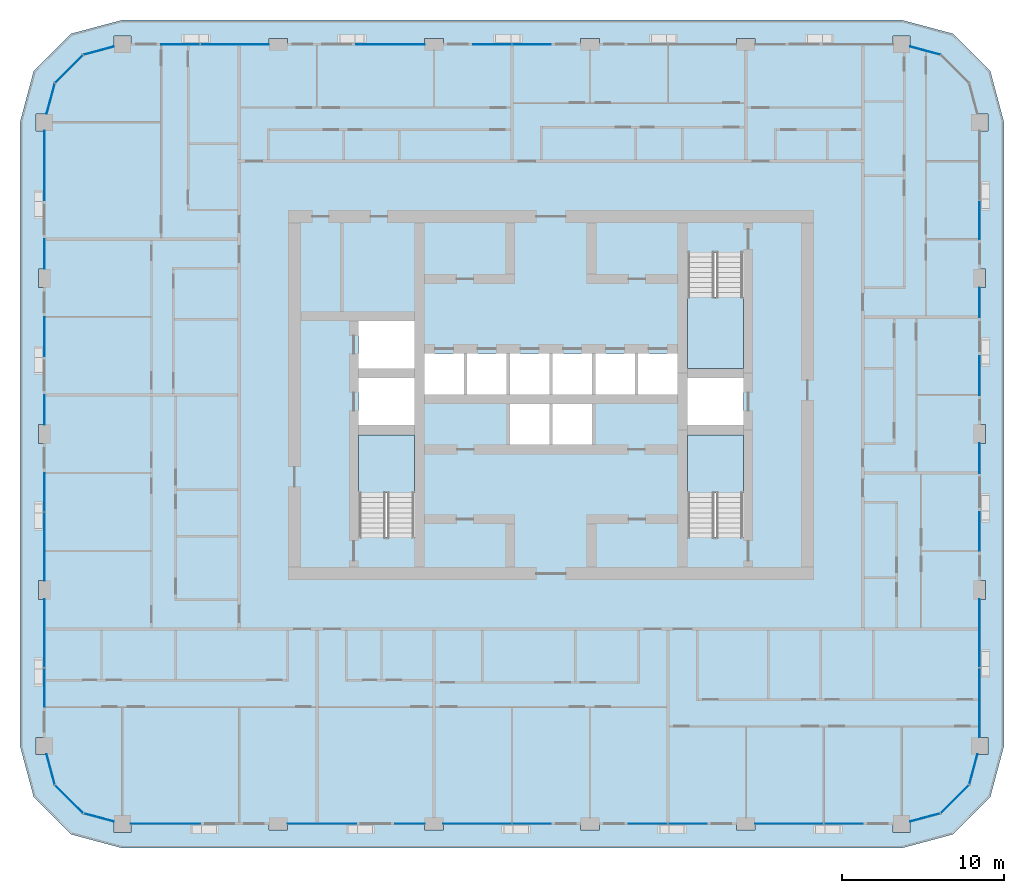
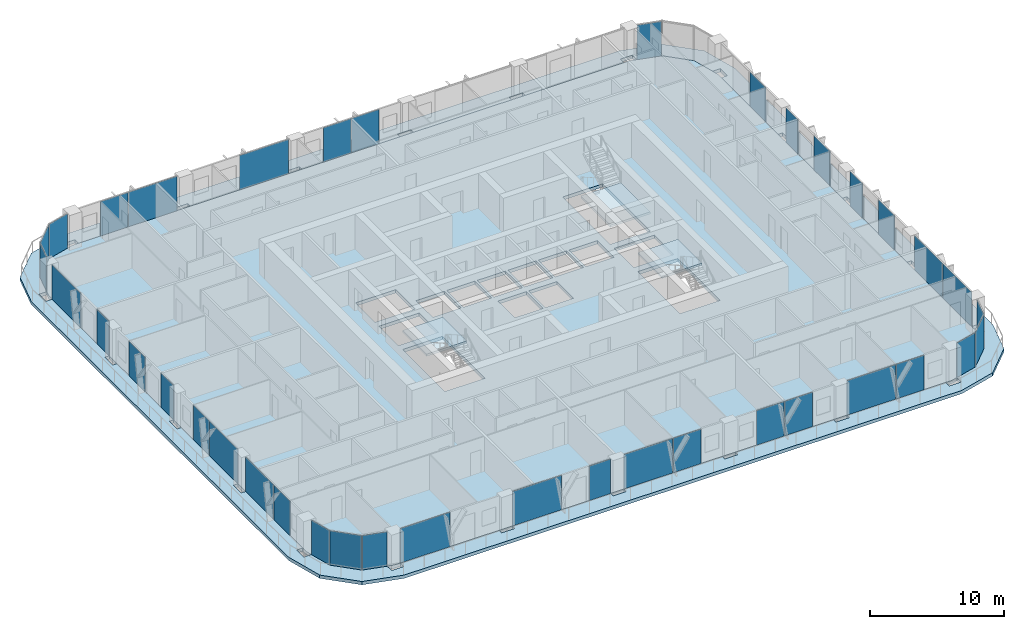
# One storey, part 7 of 22: 39 plates, 5 slabs, 23 elements without a shape of their own.
"""IFC4 building model written with IfcOpenShell, lengths in metres."""

from ifc_helpers import new_model, si_unit, direction, frame, origin, origin_2d, place, context, subcontext, project, spatial, polyline, rectangle, outline, extrude, material, layer, layer_set, type_object, element, aggregate, save


model = new_model("IFC4")

# Units and contexts
model_context = context("Model", 3, precision=1e-05, world=origin(), true_north=direction((0.0, 1.0)))
body_context = subcontext(model_context, "Body", "Model", "MODEL_VIEW")
ifc_project = project(units=[si_unit("LENGTHUNIT", "METRE"), si_unit("AREAUNIT", "SQUARE_METRE"), si_unit("VOLUMEUNIT", "CUBIC_METRE"), si_unit("PLANEANGLEUNIT", "RADIAN"), si_unit("MASSUNIT", "GRAM", prefix="KILO")], contexts=[model_context])

# Site, building, storey
site_placement = place(None, origin())
site = spatial("IfcSite", under=ifc_project, at=site_placement, CompositionType="ELEMENT")
building_placement = place(site_placement, origin())
building = spatial("IfcBuilding", under=site, at=building_placement, Name="Madar Terraces", CompositionType="ELEMENT")
storey_placement = place(building_placement, frame((0.0, 0.0, 163.0)))
storey = spatial("IfcBuildingStorey", under=building, at=storey_placement, Name="L42", CompositionType="ELEMENT", Elevation=163.0)

# Slabs
ifc_material_1 = material(Name="Concrete C50/60", Category="concrete")
ifc_layer_1 = layer(ifc_material_1, 0.300048828125)
ifc_layer_set_1 = layer_set([ifc_layer_1], Name="Balcony band 300")
slab_type_1 = type_object("IfcSlabType", Name="Balcony band 300", PredefinedType="FLOOR", material=ifc_layer_set_1)
slab_1_placement = place(storey_placement, frame((0.0, 0.0, -0.300048828125)))
element("IfcSlab", 1, at=slab_1_placement, inside=storey, type_object=slab_type_1, Name="Balcony band", PredefinedType="FLOOR", context=body_context, shape_type="SweptSolid", body=[
    extrude(outline(polyline([(4.800048828125, -1.5), (1.64990234375, -0.656005859375), (-0.656005859375, 1.64990234375), (-1.5, 4.800048828125), (-1.5, 43.199951171875), (-0.656005859375, 46.35009765625), (1.64990234375, 48.656005859375), (4.800048828125, 49.5), (52.800048828125, 49.5), (55.949951171875, 48.656005859375), (58.256103515625, 46.35009765625), (59.10009765625, 43.199951171875), (59.10009765625, 4.800048828125), (58.256103515625, 1.64990234375), (55.949951171875, -0.656005859375), (52.800048828125, -1.5), (4.800048828125, -1.5)]), holes=[polyline([(5.324951171875, -0.52490234375), (5.324951171875, 0.0), (13.824951171875, 0.0), (13.824951171875, -0.375), (14.97509765625, -0.375), (14.97509765625, 0.0), (23.425048828125, 0.0), (23.425048828125, -0.375), (24.574951171875, -0.375), (24.574951171875, 0.0), (33.02490234375, 0.0), (33.02490234375, -0.375), (34.175048828125, -0.375), (34.175048828125, 0.0), (42.625, 0.0), (42.625, -0.375), (43.77490234375, -0.375), (43.77490234375, 0.0), (52.27490234375, 0.0), (52.27490234375, -0.52490234375), (53.324951171875, -0.52490234375), (53.324951171875, 0.140625), (55.199951171875, 0.64306640625), (56.956787109375, 2.39990234375), (57.459228515625, 4.27490234375), (58.125, 4.27490234375), (58.125, 5.324951171875), (57.60009765625, 5.324951171875), (57.60009765625, 13.824951171875), (57.97509765625, 13.824951171875), (57.97509765625, 14.97509765625), (57.60009765625, 14.97509765625), (57.60009765625, 23.425048828125), (57.97509765625, 23.425048828125), (57.97509765625, 24.574951171875), (57.60009765625, 24.574951171875), (57.60009765625, 33.02490234375), (57.97509765625, 33.02490234375), (57.97509765625, 34.175048828125), (57.60009765625, 34.175048828125), (57.60009765625, 42.675048828125), (58.125, 42.675048828125), (58.125, 43.72509765625), (57.459228515625, 43.72509765625), (56.956787109375, 45.60009765625), (55.199951171875, 47.35693359375), (53.324951171875, 47.859375), (53.324951171875, 48.52490234375), (52.27490234375, 48.52490234375), (52.27490234375, 48.0), (43.77490234375, 48.0), (43.77490234375, 48.375), (42.625, 48.375), (42.625, 48.0), (34.175048828125, 48.0), (34.175048828125, 48.375), (33.02490234375, 48.375), (33.02490234375, 48.0), (24.574951171875, 48.0), (24.574951171875, 48.375), (23.425048828125, 48.375), (23.425048828125, 48.0), (14.97509765625, 48.0), (14.97509765625, 48.375), (13.824951171875, 48.375), (13.824951171875, 48.0), (5.324951171875, 48.0), (5.324951171875, 48.52490234375), (4.27490234375, 48.52490234375), (4.27490234375, 47.859375), (2.39990234375, 47.35693359375), (0.64306640625, 45.60009765625), (0.140625, 43.72509765625), (-0.52490234375, 43.72509765625), (-0.52490234375, 42.675048828125), (0.0, 42.675048828125), (0.0, 34.175048828125), (-0.375, 34.175048828125), (-0.375, 33.02490234375), (0.0, 33.02490234375), (0.0, 24.574951171875), (-0.375, 24.574951171875), (-0.375, 23.425048828125), (0.0, 23.425048828125), (0.0, 14.97509765625), (-0.375, 14.97509765625), (-0.375, 13.824951171875), (0.0, 13.824951171875), (0.0, 5.324951171875), (-0.52490234375, 5.324951171875), (-0.52490234375, 4.27490234375), (0.140625, 4.27490234375), (0.64306640625, 2.39990234375), (2.39990234375, 0.64306640625), (4.27490234375, 0.140625), (4.27490234375, -0.52490234375), (5.324951171875, -0.52490234375)])]), origin(), (0.0, 0.0, 1.0), 0.300048828125),
])
ifc_material_2 = material(Name="Concrete C50/60", Category="concrete")
ifc_layer_2 = layer(ifc_material_2, 0.300048828125)
ifc_layer_set_2 = layer_set([ifc_layer_2], Name="FS2 PT flat slab 300")
slab_type_2 = type_object("IfcSlabType", Name="FS2 PT flat slab 300", PredefinedType="FLOOR", material=ifc_layer_set_2)
slab_2_placement = place(storey_placement, frame((0.0, 0.0, -0.300048828125)))
element("IfcSlab", 2, at=slab_2_placement, inside=storey, type_object=slab_type_2, Name="Floor slab L42 (1)", PredefinedType="FLOOR", context=body_context, shape_type="SweptSolid", body=[
    extrude(outline(polyline([(52.800048828125, 0.0), (55.199951171875, 0.64306640625), (56.95703125, 2.39990234375), (57.60009765625, 4.800048828125), (57.60009765625, 43.199951171875), (56.95703125, 45.60009765625), (55.199951171875, 47.35693359375), (52.800048828125, 48.0), (4.800048828125, 48.0), (2.39990234375, 47.35693359375), (0.64306640625, 45.60009765625), (0.0, 43.199951171875), (0.0, 4.800048828125), (0.64306640625, 2.39990234375), (2.39990234375, 0.64306640625), (4.800048828125, 0.0), (52.800048828125, 0.0)]), holes=[polyline([(22.800048828125, 17.64990234375), (19.35009765625, 17.64990234375), (19.35009765625, 23.949951171875), (22.800048828125, 23.949951171875), (22.800048828125, 17.64990234375)]), polyline([(28.666748046875, 23.35009765625), (28.666748046875, 25.85009765625), (31.10009765625, 25.85009765625), (31.10009765625, 23.35009765625), (28.666748046875, 23.35009765625)]), polyline([(19.35009765625, 24.550048828125), (19.35009765625, 27.449951171875), (22.800048828125, 27.449951171875), (22.800048828125, 24.550048828125), (19.35009765625, 24.550048828125)]), polyline([(23.39990234375, 26.449951171875), (23.39990234375, 28.949951171875), (25.833251953125, 28.949951171875), (25.833251953125, 26.449951171875), (23.39990234375, 26.449951171875)]), polyline([(26.033447265625, 26.449951171875), (26.033447265625, 28.949951171875), (28.466552734375, 28.949951171875), (28.466552734375, 26.449951171875), (26.033447265625, 26.449951171875)]), polyline([(28.666748046875, 26.449951171875), (28.666748046875, 28.949951171875), (31.10009765625, 28.949951171875), (31.10009765625, 26.449951171875), (28.666748046875, 26.449951171875)]), polyline([(19.35009765625, 28.050048828125), (19.35009765625, 30.949951171875), (22.800048828125, 30.949951171875), (22.800048828125, 28.050048828125), (19.35009765625, 28.050048828125)]), polyline([(43.050048828125, 17.64990234375), (39.60009765625, 17.64990234375), (39.60009765625, 23.949951171875), (43.050048828125, 23.949951171875), (43.050048828125, 17.64990234375)]), polyline([(31.300048828125, 23.35009765625), (31.300048828125, 25.85009765625), (33.7333984375, 25.85009765625), (33.7333984375, 23.35009765625), (31.300048828125, 23.35009765625)]), polyline([(39.60009765625, 24.550048828125), (39.60009765625, 27.449951171875), (43.050048828125, 27.449951171875), (43.050048828125, 24.550048828125), (39.60009765625, 24.550048828125)]), polyline([(31.300048828125, 26.449951171875), (31.300048828125, 28.949951171875), (33.7333984375, 28.949951171875), (33.7333984375, 26.449951171875), (31.300048828125, 26.449951171875)]), polyline([(33.933349609375, 26.449951171875), (33.933349609375, 28.949951171875), (36.36669921875, 28.949951171875), (36.36669921875, 26.449951171875), (33.933349609375, 26.449951171875)]), polyline([(36.566650390625, 26.449951171875), (36.566650390625, 28.949951171875), (39.0, 28.949951171875), (39.0, 26.449951171875), (36.566650390625, 26.449951171875)]), polyline([(39.60009765625, 28.050048828125), (39.60009765625, 35.14990234375), (43.050048828125, 35.14990234375), (43.050048828125, 28.050048828125), (39.60009765625, 28.050048828125)])]), origin(), (0.0, 0.0, 1.0), 0.300048828125),
])

# Curtain wall, plate
ifc_material_3 = material(Name="Glass, ceramic frit dark grey, with black aluminium frame", Category="aluminium")
ifc_layer_3 = layer(ifc_material_3, 0.199951171875)
ifc_layer_set_3 = layer_set([ifc_layer_3], Name="Facade curtain wall, fritted glass")
curtain_wall_type = type_object("IfcCurtainWallType", Name="Facade curtain wall, fritted glass", PredefinedType="NOTDEFINED", material=ifc_layer_set_3)
curtain_wall_1_placement = place(storey_placement, origin())
curtain_wall_1 = element("IfcCurtainWall", 3, at=curtain_wall_1_placement, inside=storey, type_object=curtain_wall_type, Name="Outer skin curtain wall south bay 1", PredefinedType="NOTDEFINED")
ifc_material_4 = material(Name="Glass, ceramic frit dark grey", Category="glass")
ifc_layer_4 = layer(ifc_material_4, 0.028076171875)
ifc_layer_set_4 = layer_set([ifc_layer_4], Name="Facade glass panel 28")
plate_type = type_object("IfcPlateType", Name="Facade glass panel 28", PredefinedType="CURTAIN_PANEL", material=ifc_layer_set_4)
plate_1_placement = place(storey_placement, frame((7.46240234375, 0.0, 0.0), z_axis=(0.0, 0.0, 1.0), x_axis=(1.0, 0.0, 0.0)))
plate_1 = element("IfcPlate", 4, at=plate_1_placement, type_object=plate_type, Name="Panel 1", PredefinedType="CURTAIN_PANEL", context=body_context, shape_type="SweptSolid", body=[
    extrude(rectangle(XDim=4.27490234375, YDim=0.028076171875, at=origin_2d()), origin(), (0.0, 0.0, 1.0), 3.139892578125),
])
aggregate(curtain_wall_1, [plate_1])

# Curtain wall, plates
curtain_wall_2_placement = place(storey_placement, origin())
curtain_wall_2 = element("IfcCurtainWall", 5, at=curtain_wall_2_placement, inside=storey, type_object=curtain_wall_type, Name="Outer skin curtain wall south bay 2", PredefinedType="NOTDEFINED")
plate_2_placement = place(storey_placement, frame((17.08740234375, 0.0, 0.0), z_axis=(0.0, 0.0, 1.0), x_axis=(1.0, 0.0, 0.0)))
plate_2 = element("IfcPlate", 6, at=plate_2_placement, type_object=plate_type, Name="Panel 1", PredefinedType="CURTAIN_PANEL", context=body_context, shape_type="SweptSolid", body=[
    extrude(rectangle(XDim=4.22509765625, YDim=0.028076171875, at=origin_2d()), origin(), (0.0, 0.0, 1.0), 3.139892578125),
])
plate_3_placement = place(storey_placement, frame((22.512451171875, 0.0, 0.0), z_axis=(0.0, 0.0, 1.0), x_axis=(1.0, 0.0, 0.0)))
plate_3 = element("IfcPlate", 7, at=plate_3_placement, type_object=plate_type, Name="Panel 2", PredefinedType="CURTAIN_PANEL", context=body_context, shape_type="SweptSolid", body=[
    extrude(rectangle(XDim=1.824951171875, YDim=0.028076171875, at=origin_2d()), origin(), (0.0, 0.0, 1.0), 3.139892578125),
])
aggregate(curtain_wall_2, [plate_2, plate_3])

curtain_wall_3_placement = place(storey_placement, origin())
curtain_wall_3 = element("IfcCurtainWall", 8, at=curtain_wall_3_placement, inside=storey, type_object=curtain_wall_type, Name="Outer skin curtain wall south bay 3", PredefinedType="NOTDEFINED")
plate_4_placement = place(storey_placement, frame((26.672607421875, 0.0, 0.0), z_axis=(0.0, 0.0, 1.0), x_axis=(1.0, 0.0, 0.0)))
plate_4 = element("IfcPlate", 9, at=plate_4_placement, type_object=plate_type, Name="Panel 1", PredefinedType="CURTAIN_PANEL", context=body_context, shape_type="SweptSolid", body=[
    extrude(rectangle(XDim=4.195068359375, YDim=0.028076171875, at=origin_2d()), origin(), (0.0, 0.0, 1.0), 3.139892578125),
])
plate_5_placement = place(storey_placement, frame((30.014892578125, 0.0, 0.0), z_axis=(0.0, 0.0, 1.0), x_axis=(1.0, 0.0, 0.0)))
plate_5 = element("IfcPlate", 10, at=plate_5_placement, type_object=plate_type, Name="Panel 2", PredefinedType="CURTAIN_PANEL", context=body_context, shape_type="SweptSolid", body=[
    extrude(rectangle(XDim=2.3701171875, YDim=0.028076171875, at=origin_2d()), origin(), (0.0, 0.0, 1.0), 3.139892578125),
])
aggregate(curtain_wall_3, [plate_4, plate_5])

curtain_wall_4_placement = place(storey_placement, origin())
curtain_wall_4 = element("IfcCurtainWall", 11, at=curtain_wall_4_placement, inside=storey, type_object=curtain_wall_type, Name="Outer skin curtain wall south bay 4", PredefinedType="NOTDEFINED")
plate_6_placement = place(storey_placement, frame((37.18505859375, 0.0, 0.0), z_axis=(0.0, 0.0, 1.0), x_axis=(1.0, 0.0, 0.0)))
plate_6 = element("IfcPlate", 12, at=plate_6_placement, type_object=plate_type, Name="Panel 1", PredefinedType="CURTAIN_PANEL", context=body_context, shape_type="SweptSolid", body=[
    extrude(rectangle(XDim=2.3701171875, YDim=0.028076171875, at=origin_2d()), origin(), (0.0, 0.0, 1.0), 3.139892578125),
])
plate_7_placement = place(storey_placement, frame((39.614990234375, 0.0, 0.0), z_axis=(0.0, 0.0, 1.0), x_axis=(1.0, 0.0, 0.0)))
plate_7 = element("IfcPlate", 13, at=plate_7_placement, type_object=plate_type, Name="Panel 2", PredefinedType="CURTAIN_PANEL", context=body_context, shape_type="SweptSolid", body=[
    extrude(rectangle(XDim=2.3701171875, YDim=0.028076171875, at=origin_2d()), origin(), (0.0, 0.0, 1.0), 3.139892578125),
])
aggregate(curtain_wall_4, [plate_6, plate_7])

curtain_wall_5_placement = place(storey_placement, origin())
curtain_wall_5 = element("IfcCurtainWall", 14, at=curtain_wall_5_placement, inside=storey, type_object=curtain_wall_type, Name="Outer skin curtain wall south bay 5", PredefinedType="NOTDEFINED")
plate_8_placement = place(storey_placement, frame((45.87255859375, 0.0, 0.0), z_axis=(0.0, 0.0, 1.0), x_axis=(1.0, 0.0, 0.0)))
plate_8 = element("IfcPlate", 15, at=plate_8_placement, type_object=plate_type, Name="Panel 1", PredefinedType="CURTAIN_PANEL", context=body_context, shape_type="SweptSolid", body=[
    extrude(rectangle(XDim=4.195068359375, YDim=0.028076171875, at=origin_2d()), origin(), (0.0, 0.0, 1.0), 3.139892578125),
])
plate_9_placement = place(storey_placement, frame((49.215087890625, 0.0, 0.0), z_axis=(0.0, 0.0, 1.0), x_axis=(1.0, 0.0, 0.0)))
plate_9 = element("IfcPlate", 16, at=plate_9_placement, type_object=plate_type, Name="Panel 2", PredefinedType="CURTAIN_PANEL", context=body_context, shape_type="SweptSolid", body=[
    extrude(rectangle(XDim=2.3701171875, YDim=0.028076171875, at=origin_2d()), origin(), (0.0, 0.0, 1.0), 3.139892578125),
])
aggregate(curtain_wall_5, [plate_8, plate_9])

curtain_wall_6_placement = place(storey_placement, origin())
curtain_wall_6 = element("IfcCurtainWall", 17, at=curtain_wall_6_placement, inside=storey, type_object=curtain_wall_type, Name="Outer skin curtain wall east bay 1", PredefinedType="NOTDEFINED")
plate_10_placement = place(storey_placement, frame((57.60009765625, 7.447509765625, 0.0), z_axis=(0.0, 0.0, 1.0), x_axis=(0.0, 1.0, 0.0)))
plate_10 = element("IfcPlate", 18, at=plate_10_placement, type_object=plate_type, Name="Panel 1", PredefinedType="CURTAIN_PANEL", context=body_context, shape_type="SweptSolid", body=[
    extrude(rectangle(XDim=4.2451171875, YDim=0.028076171875, at=origin_2d()), origin(), (0.0, 0.0, 1.0), 3.139892578125),
])
plate_11_placement = place(storey_placement, frame((57.60009765625, 11.7275390625, 0.0), z_axis=(0.0, 0.0, 1.0), x_axis=(0.0, 1.0, 0.0)))
plate_11 = element("IfcPlate", 19, at=plate_11_placement, type_object=plate_type, Name="Panel 2", PredefinedType="CURTAIN_PANEL", context=body_context, shape_type="SweptSolid", body=[
    extrude(rectangle(XDim=4.195068359375, YDim=0.028076171875, at=origin_2d()), origin(), (0.0, 0.0, 1.0), 3.139892578125),
])
aggregate(curtain_wall_6, [plate_10, plate_11])

curtain_wall_7_placement = place(storey_placement, origin())
curtain_wall_7 = element("IfcCurtainWall", 20, at=curtain_wall_7_placement, inside=storey, type_object=curtain_wall_type, Name="Outer skin curtain wall east bay 2", PredefinedType="NOTDEFINED")
plate_12_placement = place(storey_placement, frame((57.60009765625, 18.0, 0.0), z_axis=(0.0, 0.0, 1.0), x_axis=(0.0, 1.0, 0.0)))
plate_12 = element("IfcPlate", 21, at=plate_12_placement, type_object=plate_type, Name="Panel 1", PredefinedType="CURTAIN_PANEL", context=body_context, shape_type="SweptSolid", body=[
    extrude(rectangle(XDim=2.39990234375, YDim=0.028076171875, at=origin_2d()), origin(), (0.0, 0.0, 1.0), 3.139892578125),
])
plate_13_placement = place(storey_placement, frame((57.60009765625, 22.512451171875, 0.0), z_axis=(0.0, 0.0, 1.0), x_axis=(0.0, 1.0, 0.0)))
plate_13 = element("IfcPlate", 22, at=plate_13_placement, type_object=plate_type, Name="Panel 2", PredefinedType="CURTAIN_PANEL", context=body_context, shape_type="SweptSolid", body=[
    extrude(rectangle(XDim=1.824951171875, YDim=0.028076171875, at=origin_2d()), origin(), (0.0, 0.0, 1.0), 3.139892578125),
])
aggregate(curtain_wall_7, [plate_12, plate_13])

curtain_wall_8_placement = place(storey_placement, origin())
curtain_wall_8 = element("IfcCurtainWall", 23, at=curtain_wall_8_placement, inside=storey, type_object=curtain_wall_type, Name="Outer skin curtain wall east bay 3", PredefinedType="NOTDEFINED")
plate_14_placement = place(storey_placement, frame((57.60009765625, 27.60009765625, 0.0), z_axis=(0.0, 0.0, 1.0), x_axis=(0.0, 1.0, 0.0)))
plate_14 = element("IfcPlate", 24, at=plate_14_placement, type_object=plate_type, Name="Panel 1", PredefinedType="CURTAIN_PANEL", context=body_context, shape_type="SweptSolid", body=[
    extrude(rectangle(XDim=2.39990234375, YDim=0.028076171875, at=origin_2d()), origin(), (0.0, 0.0, 1.0), 3.139892578125),
])
plate_15_placement = place(storey_placement, frame((57.60009765625, 32.112548828125, 0.0), z_axis=(0.0, 0.0, 1.0), x_axis=(0.0, 1.0, 0.0)))
plate_15 = element("IfcPlate", 25, at=plate_15_placement, type_object=plate_type, Name="Panel 2", PredefinedType="CURTAIN_PANEL", context=body_context, shape_type="SweptSolid", body=[
    extrude(rectangle(XDim=1.824951171875, YDim=0.028076171875, at=origin_2d()), origin(), (0.0, 0.0, 1.0), 3.139892578125),
])
aggregate(curtain_wall_8, [plate_14, plate_15])

# Curtain wall, plate
curtain_wall_9_placement = place(storey_placement, origin())
curtain_wall_9 = element("IfcCurtainWall", 26, at=curtain_wall_9_placement, inside=storey, type_object=curtain_wall_type, Name="Outer skin curtain wall east bay 4", PredefinedType="NOTDEFINED")
plate_16_placement = place(storey_placement, frame((57.60009765625, 37.18505859375, 0.0), z_axis=(0.0, 0.0, 1.0), x_axis=(0.0, 1.0, 0.0)))
plate_16 = element("IfcPlate", 27, at=plate_16_placement, type_object=plate_type, Name="Panel 1", PredefinedType="CURTAIN_PANEL", context=body_context, shape_type="SweptSolid", body=[
    extrude(rectangle(XDim=2.3701171875, YDim=0.028076171875, at=origin_2d()), origin(), (0.0, 0.0, 1.0), 3.139892578125),
])
aggregate(curtain_wall_9, [plate_16])

# Curtain wall, plates
curtain_wall_10_placement = place(storey_placement, origin())
curtain_wall_10 = element("IfcCurtainWall", 28, at=curtain_wall_10_placement, inside=storey, type_object=curtain_wall_type, Name="Outer skin curtain wall north bay 3", PredefinedType="NOTDEFINED")
plate_17_placement = place(storey_placement, frame((30.014892578125, 48.0, 0.0), z_axis=(0.0, 0.0, 1.0), x_axis=(-1.0, 0.0, 0.0)))
plate_17 = element("IfcPlate", 29, at=plate_17_placement, type_object=plate_type, Name="Panel 1", PredefinedType="CURTAIN_PANEL", context=body_context, shape_type="SweptSolid", body=[
    extrude(rectangle(XDim=2.3701171875, YDim=0.028076171875, at=origin_2d()), origin(), (0.0, 0.0, 1.0), 3.139892578125),
])
plate_18_placement = place(storey_placement, frame((27.5849609375, 48.0, 0.0), z_axis=(0.0, 0.0, 1.0), x_axis=(-1.0, 0.0, 0.0)))
plate_18 = element("IfcPlate", 30, at=plate_18_placement, type_object=plate_type, Name="Panel 2", PredefinedType="CURTAIN_PANEL", context=body_context, shape_type="SweptSolid", body=[
    extrude(rectangle(XDim=2.3701171875, YDim=0.028076171875, at=origin_2d()), origin(), (0.0, 0.0, 1.0), 3.139892578125),
])
aggregate(curtain_wall_10, [plate_17, plate_18])

# Curtain wall, plate
curtain_wall_11_placement = place(storey_placement, origin())
curtain_wall_11 = element("IfcCurtainWall", 31, at=curtain_wall_11_placement, inside=storey, type_object=curtain_wall_type, Name="Outer skin curtain wall north bay 4", PredefinedType="NOTDEFINED")
plate_19_placement = place(storey_placement, frame((21.3125, 48.0, 0.0), z_axis=(0.0, 0.0, 1.0), x_axis=(-1.0, 0.0, 0.0)))
plate_19 = element("IfcPlate", 32, at=plate_19_placement, type_object=plate_type, Name="Panel 1", PredefinedType="CURTAIN_PANEL", context=body_context, shape_type="SweptSolid", body=[
    extrude(rectangle(XDim=4.22509765625, YDim=0.028076171875, at=origin_2d()), origin(), (0.0, 0.0, 1.0), 3.139892578125),
])
aggregate(curtain_wall_11, [plate_19])

# Curtain wall, plates
curtain_wall_12_placement = place(storey_placement, origin())
curtain_wall_12 = element("IfcCurtainWall", 33, at=curtain_wall_12_placement, inside=storey, type_object=curtain_wall_type, Name="Outer skin curtain wall north bay 5", PredefinedType="NOTDEFINED")
plate_20_placement = place(storey_placement, frame((11.7275390625, 48.0, 0.0), z_axis=(0.0, 0.0, 1.0), x_axis=(-1.0, 0.0, 0.0)))
plate_20 = element("IfcPlate", 34, at=plate_20_placement, type_object=plate_type, Name="Panel 1", PredefinedType="CURTAIN_PANEL", context=body_context, shape_type="SweptSolid", body=[
    extrude(rectangle(XDim=4.195068359375, YDim=0.028076171875, at=origin_2d()), origin(), (0.0, 0.0, 1.0), 3.139892578125),
])
plate_21_placement = place(storey_placement, frame((8.385009765625, 48.0, 0.0), z_axis=(0.0, 0.0, 1.0), x_axis=(-1.0, 0.0, 0.0)))
plate_21 = element("IfcPlate", 35, at=plate_21_placement, type_object=plate_type, Name="Panel 2", PredefinedType="CURTAIN_PANEL", context=body_context, shape_type="SweptSolid", body=[
    extrude(rectangle(XDim=2.3701171875, YDim=0.028076171875, at=origin_2d()), origin(), (0.0, 0.0, 1.0), 3.139892578125),
])
aggregate(curtain_wall_12, [plate_20, plate_21])

curtain_wall_13_placement = place(storey_placement, origin())
curtain_wall_13 = element("IfcCurtainWall", 36, at=curtain_wall_13_placement, inside=storey, type_object=curtain_wall_type, Name="Outer skin curtain wall west bay 1", PredefinedType="NOTDEFINED")
plate_22_placement = place(storey_placement, frame((0.0, 40.53759765625, 0.0), z_axis=(0.0, 0.0, 1.0), x_axis=(0.0, -1.0, 0.0)))
plate_22 = element("IfcPlate", 37, at=plate_22_placement, type_object=plate_type, Name="Panel 1", PredefinedType="CURTAIN_PANEL", context=body_context, shape_type="SweptSolid", body=[
    extrude(rectangle(XDim=4.27490234375, YDim=0.028076171875, at=origin_2d()), origin(), (0.0, 0.0, 1.0), 3.139892578125),
])
plate_23_placement = place(storey_placement, frame((0.0, 35.08740234375, 0.0), z_axis=(0.0, 0.0, 1.0), x_axis=(0.0, -1.0, 0.0)))
plate_23 = element("IfcPlate", 38, at=plate_23_placement, type_object=plate_type, Name="Panel 2", PredefinedType="CURTAIN_PANEL", context=body_context, shape_type="SweptSolid", body=[
    extrude(rectangle(XDim=1.824951171875, YDim=0.028076171875, at=origin_2d()), origin(), (0.0, 0.0, 1.0), 3.139892578125),
])
aggregate(curtain_wall_13, [plate_22, plate_23])

curtain_wall_14_placement = place(storey_placement, origin())
curtain_wall_14 = element("IfcCurtainWall", 39, at=curtain_wall_14_placement, inside=storey, type_object=curtain_wall_type, Name="Outer skin curtain wall west bay 2", PredefinedType="NOTDEFINED")
plate_24_placement = place(storey_placement, frame((0.0, 30.0, 0.0), z_axis=(0.0, 0.0, 1.0), x_axis=(0.0, -1.0, 0.0)))
plate_24 = element("IfcPlate", 40, at=plate_24_placement, type_object=plate_type, Name="Panel 1", PredefinedType="CURTAIN_PANEL", context=body_context, shape_type="SweptSolid", body=[
    extrude(rectangle(XDim=2.39990234375, YDim=0.028076171875, at=origin_2d()), origin(), (0.0, 0.0, 1.0), 3.139892578125),
])
plate_25_placement = place(storey_placement, frame((0.0, 25.487548828125, 0.0), z_axis=(0.0, 0.0, 1.0), x_axis=(0.0, -1.0, 0.0)))
plate_25 = element("IfcPlate", 41, at=plate_25_placement, type_object=plate_type, Name="Panel 2", PredefinedType="CURTAIN_PANEL", context=body_context, shape_type="SweptSolid", body=[
    extrude(rectangle(XDim=1.824951171875, YDim=0.028076171875, at=origin_2d()), origin(), (0.0, 0.0, 1.0), 3.139892578125),
])
aggregate(curtain_wall_14, [plate_24, plate_25])

curtain_wall_15_placement = place(storey_placement, origin())
curtain_wall_15 = element("IfcCurtainWall", 42, at=curtain_wall_15_placement, inside=storey, type_object=curtain_wall_type, Name="Outer skin curtain wall west bay 3", PredefinedType="NOTDEFINED")
plate_26_placement = place(storey_placement, frame((0.0, 20.4150390625, 0.0), z_axis=(0.0, 0.0, 1.0), x_axis=(0.0, -1.0, 0.0)))
plate_26 = element("IfcPlate", 43, at=plate_26_placement, type_object=plate_type, Name="Panel 1", PredefinedType="CURTAIN_PANEL", context=body_context, shape_type="SweptSolid", body=[
    extrude(rectangle(XDim=2.3701171875, YDim=0.028076171875, at=origin_2d()), origin(), (0.0, 0.0, 1.0), 3.139892578125),
])
plate_27_placement = place(storey_placement, frame((0.0, 17.072509765625, 0.0), z_axis=(0.0, 0.0, 1.0), x_axis=(0.0, -1.0, 0.0)))
plate_27 = element("IfcPlate", 44, at=plate_27_placement, type_object=plate_type, Name="Panel 2", PredefinedType="CURTAIN_PANEL", context=body_context, shape_type="SweptSolid", body=[
    extrude(rectangle(XDim=4.195068359375, YDim=0.028076171875, at=origin_2d()), origin(), (0.0, 0.0, 1.0), 3.139892578125),
])
aggregate(curtain_wall_15, [plate_26, plate_27])

curtain_wall_16_placement = place(storey_placement, origin())
curtain_wall_16 = element("IfcCurtainWall", 45, at=curtain_wall_16_placement, inside=storey, type_object=curtain_wall_type, Name="Outer skin curtain wall west bay 4", PredefinedType="NOTDEFINED")
plate_28_placement = place(storey_placement, frame((0.0, 11.7275390625, 0.0), z_axis=(0.0, 0.0, 1.0), x_axis=(0.0, -1.0, 0.0)))
plate_28 = element("IfcPlate", 46, at=plate_28_placement, type_object=plate_type, Name="Panel 1", PredefinedType="CURTAIN_PANEL", context=body_context, shape_type="SweptSolid", body=[
    extrude(rectangle(XDim=4.195068359375, YDim=0.028076171875, at=origin_2d()), origin(), (0.0, 0.0, 1.0), 3.139892578125),
])
plate_29_placement = place(storey_placement, frame((0.0, 8.385009765625, 0.0), z_axis=(0.0, 0.0, 1.0), x_axis=(0.0, -1.0, 0.0)))
plate_29 = element("IfcPlate", 47, at=plate_29_placement, type_object=plate_type, Name="Panel 2", PredefinedType="CURTAIN_PANEL", context=body_context, shape_type="SweptSolid", body=[
    extrude(rectangle(XDim=2.3701171875, YDim=0.028076171875, at=origin_2d()), origin(), (0.0, 0.0, 1.0), 3.139892578125),
])
aggregate(curtain_wall_16, [plate_28, plate_29])

curtain_wall_17_placement = place(storey_placement, origin())
curtain_wall_17 = element("IfcCurtainWall", 48, at=curtain_wall_17_placement, inside=storey, type_object=curtain_wall_type, Name="Outer skin curtain wall south-east corner", PredefinedType="NOTDEFINED")
plate_30_placement = place(storey_placement, frame((54.248046875, 0.387939453125, 0.0), z_axis=(0.0, 0.0, 1.0), x_axis=(0.965925832509, 0.258819021888, 0.0)))
plate_30 = element("IfcPlate", 49, at=plate_30_placement, type_object=plate_type, Name="Panel 1", PredefinedType="CURTAIN_PANEL", context=body_context, shape_type="SweptSolid", body=[
    extrude(rectangle(XDim=1.9111328125, YDim=0.028076171875, at=origin_2d()), origin(), (0.0, 0.0, 1.0), 3.139892578125),
])
plate_31_placement = place(storey_placement, frame((56.078369140625, 1.521484375, 0.0), z_axis=(0.0, 0.0, 1.0), x_axis=(0.707106781187, 0.707106781187, 0.0)))
plate_31 = element("IfcPlate", 50, at=plate_31_placement, type_object=plate_type, Name="Panel 2", PredefinedType="CURTAIN_PANEL", context=body_context, shape_type="SweptSolid", body=[
    extrude(rectangle(XDim=2.424560546875, YDim=0.028076171875, at=origin_2d()), origin(), (0.0, 0.0, 1.0), 3.139892578125),
])
plate_32_placement = place(storey_placement, frame((57.2119140625, 3.35205078125, 0.0), z_axis=(0.0, 0.0, 1.0), x_axis=(0.258819021888, 0.965925832509, 0.0)))
plate_32 = element("IfcPlate", 51, at=plate_32_placement, type_object=plate_type, Name="Panel 3", PredefinedType="CURTAIN_PANEL", context=body_context, shape_type="SweptSolid", body=[
    extrude(rectangle(XDim=1.9111328125, YDim=0.028076171875, at=origin_2d()), origin(), (0.0, 0.0, 1.0), 3.139892578125),
])
aggregate(curtain_wall_17, [plate_30, plate_31, plate_32])

# Curtain wall, plate
curtain_wall_18_placement = place(storey_placement, origin())
curtain_wall_18 = element("IfcCurtainWall", 52, at=curtain_wall_18_placement, inside=storey, type_object=curtain_wall_type, Name="Outer skin curtain wall north-east corner", PredefinedType="NOTDEFINED")
plate_33_placement = place(storey_placement, frame((54.248046875, 47.612060546875, 0.0), z_axis=(0.0, 0.0, 1.0), x_axis=(-0.965925832509, 0.258819021888, 0.0)))
plate_33 = element("IfcPlate", 53, at=plate_33_placement, type_object=plate_type, Name="Panel 3", PredefinedType="CURTAIN_PANEL", context=body_context, shape_type="SweptSolid", body=[
    extrude(rectangle(XDim=1.9111328125, YDim=0.028076171875, at=origin_2d()), origin(), (0.0, 0.0, 1.0), 3.139892578125),
])
aggregate(curtain_wall_18, [plate_33])

# Curtain wall, plates
curtain_wall_19_placement = place(storey_placement, origin())
curtain_wall_19 = element("IfcCurtainWall", 54, at=curtain_wall_19_placement, inside=storey, type_object=curtain_wall_type, Name="Outer skin curtain wall north-west corner", PredefinedType="NOTDEFINED")
plate_34_placement = place(storey_placement, frame((3.35205078125, 47.612060546875, 0.0), z_axis=(0.0, 0.0, 1.0), x_axis=(-0.965925832509, -0.258819021888, 0.0)))
plate_34 = element("IfcPlate", 55, at=plate_34_placement, type_object=plate_type, Name="Panel 1", PredefinedType="CURTAIN_PANEL", context=body_context, shape_type="SweptSolid", body=[
    extrude(rectangle(XDim=1.9111328125, YDim=0.028076171875, at=origin_2d()), origin(), (0.0, 0.0, 1.0), 3.139892578125),
])
plate_35_placement = place(storey_placement, frame((1.521484375, 46.478515625, 0.0), z_axis=(0.0, 0.0, 1.0), x_axis=(-0.707106781187, -0.707106781187, 0.0)))
plate_35 = element("IfcPlate", 56, at=plate_35_placement, type_object=plate_type, Name="Panel 2", PredefinedType="CURTAIN_PANEL", context=body_context, shape_type="SweptSolid", body=[
    extrude(rectangle(XDim=2.424560546875, YDim=0.028076171875, at=origin_2d()), origin(), (0.0, 0.0, 1.0), 3.139892578125),
])
plate_36_placement = place(storey_placement, frame((0.387939453125, 44.64794921875, 0.0), z_axis=(0.0, 0.0, 1.0), x_axis=(-0.258819021888, -0.965925832509, 0.0)))
plate_36 = element("IfcPlate", 57, at=plate_36_placement, type_object=plate_type, Name="Panel 3", PredefinedType="CURTAIN_PANEL", context=body_context, shape_type="SweptSolid", body=[
    extrude(rectangle(XDim=1.9111328125, YDim=0.028076171875, at=origin_2d()), origin(), (0.0, 0.0, 1.0), 3.139892578125),
])
aggregate(curtain_wall_19, [plate_34, plate_35, plate_36])

curtain_wall_20_placement = place(storey_placement, origin())
curtain_wall_20 = element("IfcCurtainWall", 58, at=curtain_wall_20_placement, inside=storey, type_object=curtain_wall_type, Name="Outer skin curtain wall south-west corner", PredefinedType="NOTDEFINED")
plate_37_placement = place(storey_placement, frame((0.387939453125, 3.35205078125, 0.0), z_axis=(0.0, 0.0, 1.0), x_axis=(0.258819021888, -0.965925832509, 0.0)))
plate_37 = element("IfcPlate", 59, at=plate_37_placement, type_object=plate_type, Name="Panel 1", PredefinedType="CURTAIN_PANEL", context=body_context, shape_type="SweptSolid", body=[
    extrude(rectangle(XDim=1.9111328125, YDim=0.028076171875, at=origin_2d()), origin(), (0.0, 0.0, 1.0), 3.139892578125),
])
plate_38_placement = place(storey_placement, frame((1.521484375, 1.521484375, 0.0), z_axis=(0.0, 0.0, 1.0), x_axis=(0.707106781187, -0.707106781187, 0.0)))
plate_38 = element("IfcPlate", 60, at=plate_38_placement, type_object=plate_type, Name="Panel 2", PredefinedType="CURTAIN_PANEL", context=body_context, shape_type="SweptSolid", body=[
    extrude(rectangle(XDim=2.424560546875, YDim=0.028076171875, at=origin_2d()), origin(), (0.0, 0.0, 1.0), 3.139892578125),
])
plate_39_placement = place(storey_placement, frame((3.35205078125, 0.387939453125, 0.0), z_axis=(0.0, 0.0, 1.0), x_axis=(0.965925832509, -0.258819021888, 0.0)))
plate_39 = element("IfcPlate", 61, at=plate_39_placement, type_object=plate_type, Name="Panel 3", PredefinedType="CURTAIN_PANEL", context=body_context, shape_type="SweptSolid", body=[
    extrude(rectangle(XDim=1.9111328125, YDim=0.028076171875, at=origin_2d()), origin(), (0.0, 0.0, 1.0), 3.139892578125),
])
aggregate(curtain_wall_20, [plate_37, plate_38, plate_39])

# Stair, slab
ifc_material_5 = material(Name="Concrete C50/60", Category="concrete")
stair_type_1 = type_object("IfcStairType", Name="Stair ST1 protected exit", PredefinedType="HALF_TURN_STAIR", material=ifc_material_5)
stair_1_placement = place(storey_placement, origin())
stair_1 = element("IfcStair", 62, at=stair_1_placement, inside=storey, type_object=stair_type_1, Name="L42 Protected Exit Stair ST1", PredefinedType="HALF_TURN_STAIR")
ifc_material_6 = material(Name="Concrete C50/60", Category="concrete")
ifc_layer_5 = layer(ifc_material_6, 0.199951171875)
ifc_layer_set_5 = layer_set([ifc_layer_5], Name="Stair landing 200, top +1.75")
slab_type_3 = type_object("IfcSlabType", Name="Stair landing 200, top +1.75", PredefinedType="LANDING", material=ifc_layer_set_5)
slab_3_placement = place(storey_placement, frame((0.0, 0.0, 1.550048828125)))
slab_3 = element("IfcSlab", 63, at=slab_3_placement, type_object=slab_type_3, Name="ST1 landing 1", PredefinedType="LANDING", context=body_context, shape_type="SweptSolid", body=[
    extrude(outline(polyline([(19.35009765625, 20.360107421875), (22.800048828125, 20.360107421875), (22.800048828125, 23.949951171875), (19.35009765625, 23.949951171875), (19.35009765625, 20.360107421875)])), origin(), (0.0, 0.0, 1.0), 0.199951171875),
])
aggregate(stair_1, [slab_3])

ifc_material_7 = material(Name="Concrete C50/60", Category="concrete")
stair_type_2 = type_object("IfcStairType", Name="Stair ST2 protected exit", PredefinedType="HALF_TURN_STAIR", material=ifc_material_7)
stair_2_placement = place(storey_placement, origin())
stair_2 = element("IfcStair", 64, at=stair_2_placement, inside=storey, type_object=stair_type_2, Name="L42 Protected Exit Stair ST2", PredefinedType="HALF_TURN_STAIR")
slab_4_placement = place(storey_placement, frame((0.0, 0.0, 1.550048828125)))
slab_4 = element("IfcSlab", 65, at=slab_4_placement, type_object=slab_type_3, Name="ST2 landing 1", PredefinedType="LANDING", context=body_context, shape_type="SweptSolid", body=[
    extrude(outline(polyline([(39.60009765625, 28.050048828125), (43.050048828125, 28.050048828125), (43.050048828125, 32.43994140625), (39.60009765625, 32.43994140625), (39.60009765625, 28.050048828125)])), origin(), (0.0, 0.0, 1.0), 0.199951171875),
])
aggregate(stair_2, [slab_4])

ifc_material_8 = material(Name="Concrete C50/60", Category="concrete")
stair_type_3 = type_object("IfcStairType", Name="Stair ST3 protected exit", PredefinedType="HALF_TURN_STAIR", material=ifc_material_8)
stair_3_placement = place(storey_placement, origin())
stair_3 = element("IfcStair", 66, at=stair_3_placement, inside=storey, type_object=stair_type_3, Name="L42 Protected Exit Stair ST3", PredefinedType="HALF_TURN_STAIR")
slab_5_placement = place(storey_placement, frame((0.0, 0.0, 1.550048828125)))
slab_5 = element("IfcSlab", 67, at=slab_5_placement, type_object=slab_type_3, Name="ST3 landing 1", PredefinedType="LANDING", context=body_context, shape_type="SweptSolid", body=[
    extrude(outline(polyline([(39.60009765625, 20.360107421875), (43.050048828125, 20.360107421875), (43.050048828125, 23.949951171875), (39.60009765625, 23.949951171875), (39.60009765625, 20.360107421875)])), origin(), (0.0, 0.0, 1.0), 0.199951171875),
])
aggregate(stair_3, [slab_5])

save(model, "model.ifc")
